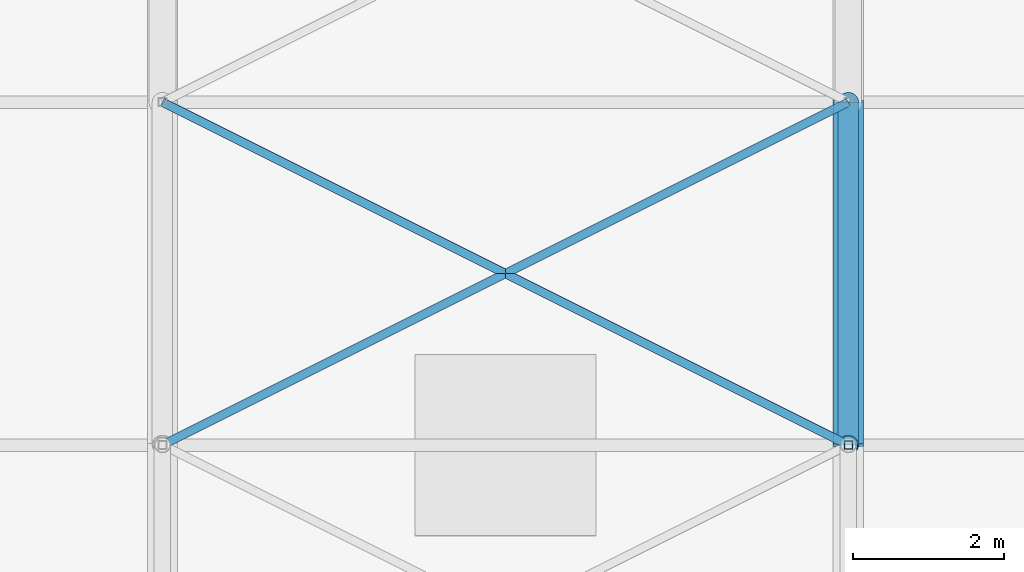
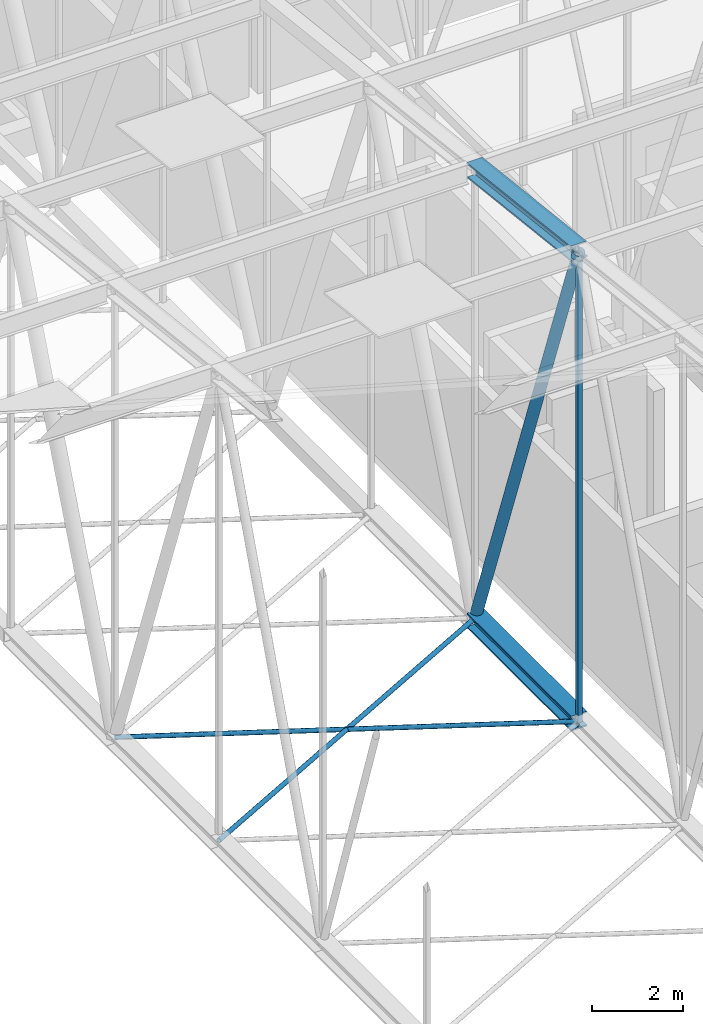
# One storey, part 276 of 500: 6 members.
"""IFC4 building model written with IfcOpenShell, lengths in metres."""

from ifc_helpers import new_model, si_unit, direction, frame, origin, origin_2d, place, context, subcontext, project, spatial, hollow_rectangle, hollow_circle, i_section, extrude, material, material_profile, profile_set, type_object, element, save


model = new_model("IFC4")

# Units and contexts
model_context = context("Model", 3, precision=1e-05, world=origin(), true_north=direction((0.0, 1.0)))
body_context = subcontext(model_context, "Body", "Model", "MODEL_VIEW")
ifc_project = project(units=[si_unit("LENGTHUNIT", "METRE"), si_unit("AREAUNIT", "SQUARE_METRE"), si_unit("VOLUMEUNIT", "CUBIC_METRE"), si_unit("PLANEANGLEUNIT", "RADIAN"), si_unit("MASSUNIT", "GRAM", prefix="KILO")], contexts=[model_context])

# Site, building, storey
site_placement = place(None, origin())
site = spatial("IfcSite", under=ifc_project, at=site_placement, CompositionType="ELEMENT")
building_placement = place(site_placement, origin())
building = spatial("IfcBuilding", under=site, at=building_placement, Name="Shirokan Park Arena", CompositionType="ELEMENT")
storey_placement = place(building_placement, frame((0.0, 0.0, 29.1201171875)))
storey = spatial("IfcBuildingStorey", under=building, at=storey_placement, Name="L06", CompositionType="ELEMENT", Elevation=29.1201171875)

# Members
ifc_material_1 = material(Name="Steel ASTM A992", Category="steel")
ifc_material_profile_1 = material_profile(ifc_material_1, i_section(OverallWidth=0.40087890625, OverallDepth=0.39892578125, WebThickness=0.02490234375, FlangeThickness=0.03955078125, at=origin_2d()), Name="W360X314")
ifc_profile_set_1 = profile_set([ifc_material_profile_1], Name="Steel ASTM A992")
member_type_1 = type_object("IfcMemberType", Name="Bottom chord W360X314", PredefinedType="CHORD", material=ifc_profile_set_1)
member_1_placement = place(storey_placement, frame((100.10009765625, 68.25, 4.677001953125), z_axis=(0.0, 1.0, 0.0), x_axis=(-1.0, 0.0, 0.0)))
element("IfcMember", 1, at=member_1_placement, inside=storey, type_object=member_type_1, Name="Truss T12 bottom chord 18", PredefinedType="CHORD", context=body_context, shape_type="SweptSolid", body=[
    extrude(i_section(OverallWidth=0.40087890625, OverallDepth=0.39892578125, WebThickness=0.02490234375, FlangeThickness=0.03955078125, at=origin_2d()), origin(), (0.0, 0.0, 1.0), 4.550048828125),
])
ifc_material_2 = material(Name="Steel ASTM A500 Grade C", Category="steel")
ifc_material_profile_2 = material_profile(ifc_material_2, hollow_circle(Radius=0.056884765625, WallThickness=0.006103515625, at=origin_2d()), Name="HSS114.3X6")
ifc_profile_set_2 = profile_set([ifc_material_profile_2], Name="Steel ASTM A500 Grade C")
member_type_2 = type_object("IfcMemberType", Name="Plan bracing HSS114.3X6", PredefinedType="BRACE", material=ifc_profile_set_2)
for number, where, z_axis, x_axis, name in (
    (2, (91.0, 68.25, 4.677001953125), (0.894427191, 0.4472135955, 0.0), (-0.4472135955, 0.894427191, 0.0), "Plan bracing bay 11 panel 18 A"),
    (3, (100.10009765625, 68.25, 4.677001953125), (-0.894427191, 0.4472135955, 0.0), (-0.4472135955, -0.894427191, 0.0), "Plan bracing bay 11 panel 18 B"),
):
    element("IfcMember", number, at=place(storey_placement, frame(where, z_axis=z_axis, x_axis=x_axis)), inside=storey, type_object=member_type_2, Name=name, PredefinedType="BRACE", context=body_context, shape_type="SweptSolid", body=[
        extrude(hollow_circle(Radius=0.056884765625, WallThickness=0.006103515625, at=origin_2d()), origin(), (0.0, 0.0, 1.0), 10.17431640625),
    ])
ifc_material_profile_3 = material_profile(ifc_material_1, i_section(OverallWidth=0.40087890625, OverallDepth=0.39892578125, WebThickness=0.02490234375, FlangeThickness=0.03955078125, at=origin_2d()), Name="W360X314")
ifc_profile_set_3 = profile_set([ifc_material_profile_3], Name="Steel ASTM A992")
member_type_3 = type_object("IfcMemberType", Name="Top chord W360X314", PredefinedType="CHORD", material=ifc_profile_set_3)
member_2_placement = place(storey_placement, frame((100.10009765625, 68.25, 17.221435546875), z_axis=(0.0, 0.993532328996, -0.113549598152), x_axis=(-1.0, 0.0, 0.0)))
element("IfcMember", 4, at=member_2_placement, inside=storey, type_object=member_type_3, Name="Truss T12 top chord 18", PredefinedType="CHORD", context=body_context, shape_type="SweptSolid", body=[
    extrude(i_section(OverallWidth=0.40087890625, OverallDepth=0.39892578125, WebThickness=0.02490234375, FlangeThickness=0.03955078125, at=origin_2d()), origin(), (0.0, 0.0, 1.0), 4.57958984375),
])
ifc_material_profile_4 = material_profile(ifc_material_2, hollow_circle(Radius=0.136474609375, WallThickness=0.009521484375, at=origin_2d()), Name="HSS273.1X9.5")
ifc_profile_set_4 = profile_set([ifc_material_profile_4], Name="Steel ASTM A500 Grade C")
member_type_4 = type_object("IfcMemberType", Name="Truss diagonal HSS273.1X9.5", PredefinedType="BRACE", material=ifc_profile_set_4)
member_3_placement = place(storey_placement, frame((100.10009765625, 68.25, 17.221435546875), z_axis=(0.0, 0.340977600467, -0.94007142068), x_axis=(-1.0, 0.0, 0.0)))
element("IfcMember", 5, at=member_3_placement, inside=storey, type_object=member_type_4, Name="Truss T12 diagonal 18", PredefinedType="BRACE", context=body_context, shape_type="SweptSolid", body=[
    extrude(hollow_circle(Radius=0.136474609375, WallThickness=0.009521484375, at=origin_2d()), origin(), (0.0, 0.0, 1.0), 13.34423828125),
])
ifc_material_profile_5 = material_profile(ifc_material_2, hollow_rectangle(XDim=0.114013671875, YDim=0.114013671875, WallThickness=0.00634765625, at=origin_2d()), Name="HSS114.3X114.3X6.4")
ifc_profile_set_5 = profile_set([ifc_material_profile_5], Name="Steel ASTM A500 Grade C")
member_type_5 = type_object("IfcMemberType", Name="Truss post HSS114.3X114.3X6.4", PredefinedType="POST", material=ifc_profile_set_5)
member_4_placement = place(storey_placement, frame((100.10009765625, 68.25, 4.677001953125), z_axis=(0.0, 0.0, 1.0), x_axis=(1.0, 0.0, 0.0)))
element("IfcMember", 6, at=member_4_placement, inside=storey, type_object=member_type_5, Name="Truss T12 post 18", PredefinedType="POST", context=body_context, shape_type="SweptSolid", body=[
    extrude(hollow_rectangle(XDim=0.114013671875, YDim=0.114013671875, WallThickness=0.00634765625, at=origin_2d()), origin(), (0.0, 0.0, 1.0), 12.54443359375),
])

save(model, "model.ifc")
